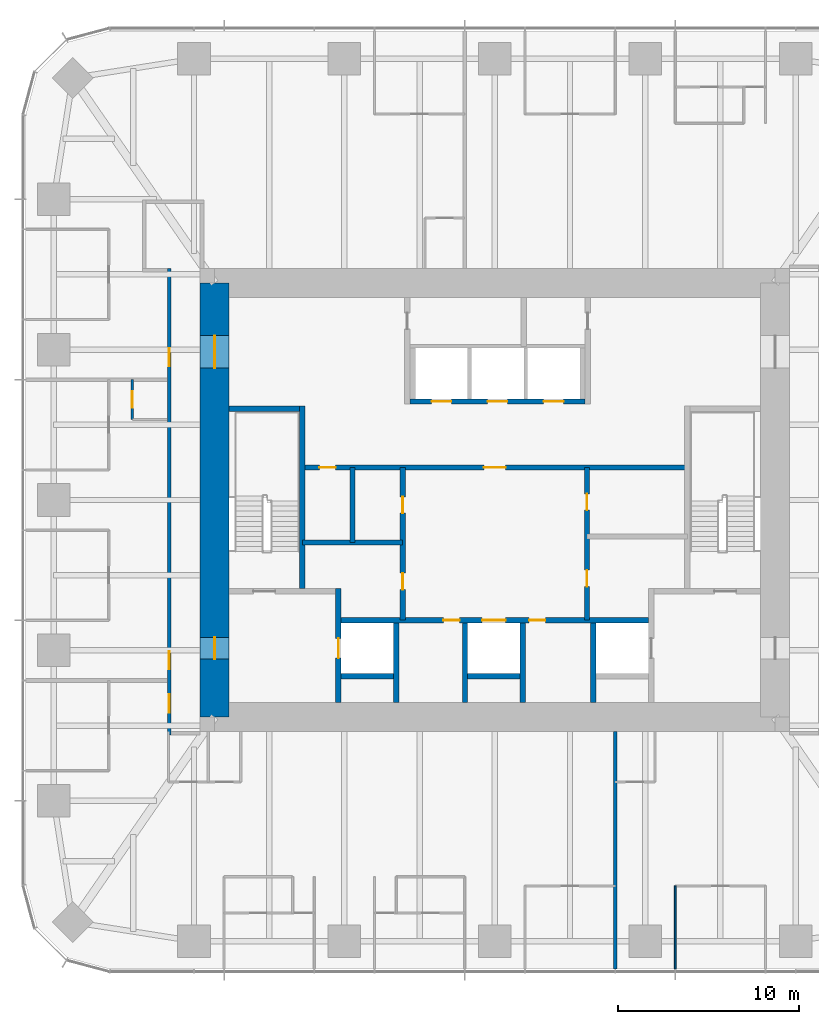
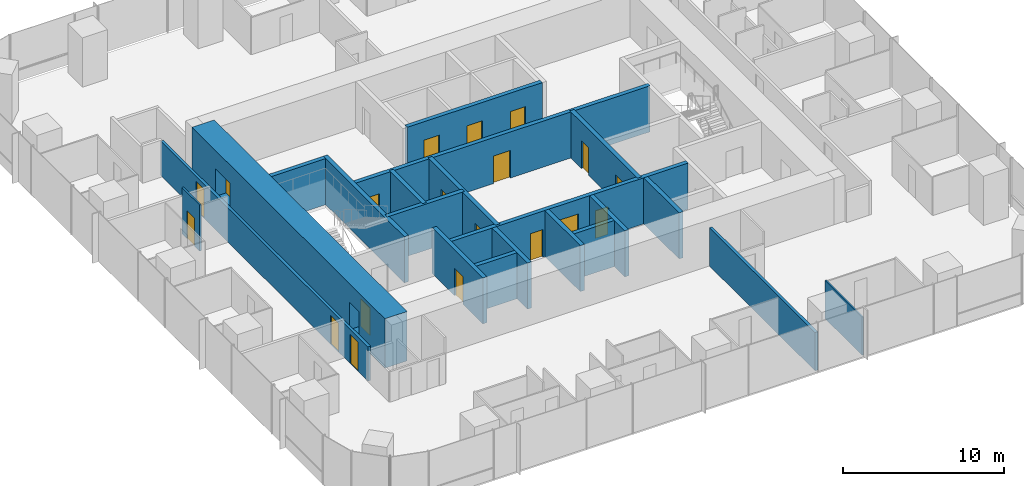
# One storey, part 9 of 12: 21 walls, 19 doors, 19 openings.
"""IFC4 building model written with IfcOpenShell, lengths in metres."""

from ifc_helpers import new_model, si_unit, direction, frame, frame_2d, origin, place, context, subcontext, project, spatial, rectangle, extrude, material, layer, layer_set, type_object, element, fill, save


model = new_model("IFC4")

# Units and contexts
model_context = context("Model", 3, precision=1e-05, world=origin(), true_north=direction((0.0, 1.0)))
body_context = subcontext(model_context, "Body", "Model", "MODEL_VIEW")
ifc_project = project(units=[si_unit("LENGTHUNIT", "METRE"), si_unit("AREAUNIT", "SQUARE_METRE"), si_unit("VOLUMEUNIT", "CUBIC_METRE"), si_unit("PLANEANGLEUNIT", "RADIAN"), si_unit("MASSUNIT", "GRAM", prefix="KILO")], contexts=[model_context])

# Site, building, storey
site_placement = place(None, origin())
site = spatial("IfcSite", under=ifc_project, at=site_placement, CompositionType="ELEMENT")
building_placement = place(site_placement, origin())
building = spatial("IfcBuilding", under=site, at=building_placement, Name="Khuree Lantern Residences", CompositionType="ELEMENT")
storey_placement = place(building_placement, frame((0.0, 0.0, 233.25)))
storey = spatial("IfcBuildingStorey", under=building, at=storey_placement, Name="L58", CompositionType="ELEMENT", Elevation=233.25)

# Wall, opening, door
ifc_material_1 = material(Name="Moisture-resistant gypsum board on steel studs", Category="steel")
ifc_layer_1 = layer(ifc_material_1, 0.125)
ifc_layer_set_1 = layer_set([ifc_layer_1], Name="BATHROOM WALL BTW125")
wall_type_1 = type_object("IfcWallType", Name="BATHROOM WALL BTW125", PredefinedType="PARTITIONING", material=ifc_layer_set_1)
wall_1_placement = place(storey_placement, frame((-20.050048828125, 6.656005859375, 0.0), z_axis=(0.0, 0.0, 1.0), x_axis=(0.0, -1.0, 0.0)))
wall_1 = element("IfcWall", 1, at=wall_1_placement, inside=storey, type_object=wall_type_1, Name="L58 BATHROOM WALL 04", PredefinedType="PARTITIONING", context=body_context, shape_type="SweptSolid", body=[
    extrude(rectangle(XDim=2.199951171875, YDim=0.125, at=frame_2d((1.10009765625, 0.0))), origin(), (0.0, 0.0, 1.0), 3.5),
])
opening_1_placement = place(wall_1_placement, frame((0.64990234375, 0.0, 0.0)))
opening_1 = element("IfcOpeningElement", 2, at=opening_1_placement, cuts=wall_1, Name="Opening 58-041", PredefinedType="OPENING", context=body_context, shape_type="SweptSolid", body=[
    extrude(rectangle(XDim=0.89990234375, YDim=2.10009765625, at=frame_2d((0.449951171875, 1.050048828125))), frame((0.0, 0.072509765625, 0.0), z_axis=(0.0, -1.0, 0.0), x_axis=(1.0, 0.0, 0.0)), (0.0, 0.0, 1.0), 0.14501953125),
])
ifc_material_2 = material(Name="Timber door leaf in hardwood frame", Category="wood")
door_type_1 = type_object("IfcDoorType", Name="BATHROOM DOOR 900X2100", OperationType="SINGLE_SWING_LEFT", PredefinedType="DOOR", material=ifc_material_2)
door_1_placement = place(opening_1_placement, origin())
door_1 = element("IfcDoor", 3, at=door_1_placement, inside=storey, type_object=door_type_1, Name="Bathroom door 58-041", OperationType="SINGLE_SWING_LEFT", OverallHeight=2.10009765625, OverallWidth=0.89990234375, PredefinedType="DOOR", context=body_context, shape_type="SweptSolid", body=[
    extrude(rectangle(XDim=0.89990234375, YDim=2.10009765625, at=frame_2d((0.449951171875, 1.050048828125))), frame((0.0, 0.02490234375, 0.0), z_axis=(0.0, -1.0, 0.0), x_axis=(1.0, 0.0, 0.0)), (0.0, 0.0, 1.0), 0.050048828125),
])
fill(opening_1, door_1)

ifc_material_3 = material(Name="Dense concrete blockwork", Category="masonry")
ifc_layer_2 = layer(ifc_material_3, 0.300048828125)
ifc_layer_set_2 = layer_set([ifc_layer_2], Name="CORE PARTITION WALL CPW300 EI 120")
wall_type_2 = type_object("IfcWallType", Name="CORE PARTITION WALL CPW300 EI 120", PredefinedType="PARTITIONING", material=ifc_layer_set_2)
wall_2_placement = place(storey_placement, frame((-8.64990234375, -11.199951171875, 0.0), z_axis=(0.0, 0.0, 1.0), x_axis=(0.0, 1.0, 0.0)))
wall_2 = element("IfcWall", 4, at=wall_2_placement, inside=storey, type_object=wall_type_2, Name="L58 CORE WALL FL1W", PredefinedType="PARTITIONING", context=body_context, shape_type="SweptSolid", body=[
    extrude(rectangle(XDim=6.300048828125, YDim=0.300048828125, at=frame_2d((3.14990234375, 0.0))), origin(), (0.0, 0.0, 1.0), 3.5),
])
opening_2_placement = place(wall_2_placement, frame((2.449951171875, 0.0, 0.0)))
opening_2 = element("IfcOpeningElement", 5, at=opening_2_placement, cuts=wall_2, Name="Opening 58-007", PredefinedType="OPENING", context=body_context, shape_type="SweptSolid", body=[
    extrude(rectangle(XDim=1.10009765625, YDim=2.10009765625, at=frame_2d((0.550048828125, 1.050048828125))), frame((0.0, 0.16015625, 0.0), z_axis=(0.0, -1.0, 0.0), x_axis=(1.0, 0.0, 0.0)), (0.0, 0.0, 1.0), 0.320068359375),
])
ifc_material_4 = material(Name="Stainless steel lift landing door", Category="steel")
door_type_2 = type_object("IfcDoorType", Name="LIFT LANDING DOOR 1100X2100 E 120", OperationType="DOUBLE_DOOR_SLIDING", PredefinedType="DOOR", material=ifc_material_4)
door_2_placement = place(opening_2_placement, origin())
door_2 = element("IfcDoor", 6, at=door_2_placement, inside=storey, type_object=door_type_2, Name="Landing door FL1 58-007", OperationType="DOUBLE_DOOR_SLIDING", OverallHeight=2.10009765625, OverallWidth=1.10009765625, PredefinedType="DOOR", context=body_context, shape_type="SweptSolid", body=[
    extrude(rectangle(XDim=1.10009765625, YDim=2.10009765625, at=frame_2d((0.550048828125, 1.050048828125))), frame((0.0, 0.02490234375, 0.0), z_axis=(0.0, -1.0, 0.0), x_axis=(1.0, 0.0, 0.0)), (0.0, 0.0, 1.0), 0.050048828125),
])
fill(opening_2, door_2)

# Wall, openings, doors
wall_3_placement = place(storey_placement, frame((-8.5, -6.64990234375, 0.0), z_axis=(0.0, 0.0, 1.0), x_axis=(1.0, 0.0, 0.0)))
wall_3 = element("IfcWall", 7, at=wall_3_placement, inside=storey, type_object=wall_type_2, Name="L58 CORE WALL FLROW", PredefinedType="PARTITIONING", context=body_context, shape_type="SweptSolid", body=[
    extrude(rectangle(XDim=17.0, YDim=0.300048828125, at=frame_2d((8.5, 0.0))), origin(), (0.0, 0.0, 1.0), 3.5),
])
opening_3_placement = place(wall_3_placement, frame((7.800048828125, 0.0, 0.0)))
opening_3 = element("IfcOpeningElement", 8, at=opening_3_placement, cuts=wall_3, Name="Opening 58-012", PredefinedType="OPENING", context=body_context, shape_type="SweptSolid", body=[
    extrude(rectangle(XDim=1.300048828125, YDim=2.39990234375, at=frame_2d((0.64990234375, 1.199951171875))), frame((0.0, 0.16015625, 0.0), z_axis=(0.0, -1.0, 0.0), x_axis=(1.0, 0.0, 0.0)), (0.0, 0.0, 1.0), 0.320068359375),
])
opening_4_placement = place(wall_3_placement, frame((5.64990234375, 0.0, 0.0)))
opening_4 = element("IfcOpeningElement", 9, at=opening_4_placement, cuts=wall_3, Name="Opening 58-014", PredefinedType="OPENING", context=body_context, shape_type="SweptSolid", body=[
    extrude(rectangle(XDim=0.89990234375, YDim=2.10009765625, at=frame_2d((0.449951171875, 1.050048828125))), frame((0.0, 0.16015625, 0.0), z_axis=(0.0, -1.0, 0.0), x_axis=(1.0, 0.0, 0.0)), (0.0, 0.0, 1.0), 0.320068359375),
])
opening_5_placement = place(wall_3_placement, frame((10.39990234375, 0.0, 0.0)))
opening_5 = element("IfcOpeningElement", 10, at=opening_5_placement, cuts=wall_3, Name="Opening 58-015", PredefinedType="OPENING", context=body_context, shape_type="SweptSolid", body=[
    extrude(rectangle(XDim=0.89990234375, YDim=2.10009765625, at=frame_2d((0.449951171875, 1.050048828125))), frame((0.0, 0.16015625, 0.0), z_axis=(0.0, -1.0, 0.0), x_axis=(1.0, 0.0, 0.0)), (0.0, 0.0, 1.0), 0.320068359375),
])
ifc_material_5 = material(Name="Steel door leaf in steel frame", Category="steel")
door_type_3 = type_object("IfcDoorType", Name="DOOR 900X2100 EI 60", OperationType="SINGLE_SWING_LEFT", PredefinedType="DOOR", material=ifc_material_5)
door_3_placement = place(opening_4_placement, origin())
door_3 = element("IfcDoor", 11, at=door_3_placement, inside=storey, type_object=door_type_3, Name="Refuse chute room door 58-014", OperationType="SINGLE_SWING_LEFT", OverallHeight=2.10009765625, OverallWidth=0.89990234375, PredefinedType="DOOR", context=body_context, shape_type="SweptSolid", body=[
    extrude(rectangle(XDim=0.89990234375, YDim=2.10009765625, at=frame_2d((0.449951171875, 1.050048828125))), frame((0.0, 0.02490234375, 0.0), z_axis=(0.0, -1.0, 0.0), x_axis=(1.0, 0.0, 0.0)), (0.0, 0.0, 1.0), 0.050048828125),
])
fill(opening_4, door_3)
door_type_4 = type_object("IfcDoorType", Name="DOOR 900X2100 EI 60 RIGHT HAND", OperationType="SINGLE_SWING_RIGHT", PredefinedType="DOOR", material=ifc_material_5)
door_4_placement = place(opening_5_placement, origin())
door_4 = element("IfcDoor", 12, at=door_4_placement, inside=storey, type_object=door_type_4, Name="Electrical and plumbing riser door 58-015", OperationType="SINGLE_SWING_RIGHT", OverallHeight=2.10009765625, OverallWidth=0.89990234375, PredefinedType="DOOR", context=body_context, shape_type="SweptSolid", body=[
    extrude(rectangle(XDim=0.89990234375, YDim=2.10009765625, at=frame_2d((0.449951171875, 1.050048828125))), frame((0.0, 0.02490234375, 0.0), z_axis=(0.0, -1.0, 0.0), x_axis=(1.0, 0.0, 0.0)), (0.0, 0.0, 1.0), 0.050048828125),
])
fill(opening_5, door_4)
door_type_5 = type_object("IfcDoorType", Name="LIFT LANDING DOOR 1300X2400 E 60", OperationType="DOUBLE_DOOR_SLIDING", PredefinedType="DOOR", material=ifc_material_4)
door_5_placement = place(opening_3_placement, origin())
door_5 = element("IfcDoor", 13, at=door_5_placement, inside=storey, type_object=door_type_5, Name="Landing door SL1 58-012", OperationType="DOUBLE_DOOR_SLIDING", OverallHeight=2.39990234375, OverallWidth=1.300048828125, PredefinedType="DOOR", context=body_context, shape_type="SweptSolid", body=[
    extrude(rectangle(XDim=1.300048828125, YDim=2.39990234375, at=frame_2d((0.64990234375, 1.199951171875))), frame((0.0, 0.02490234375, 0.0), z_axis=(0.0, -1.0, 0.0), x_axis=(1.0, 0.0, 0.0)), (0.0, 0.0, 1.0), 0.050048828125),
])
fill(opening_3, door_5)

# Walls
for number, where, z_axis, x_axis, name in (
    (14, (-5.449951171875, -11.199951171875, 0.0), (0.0, 0.0, 1.0), (0.0, 1.0, 0.0), "L58 CORE WALL FL1E"),
    (15, (-1.64990234375, -11.199951171875, 0.0), (0.0, 0.0, 1.0), (0.0, 1.0, 0.0), "L58 CORE WALL SL1W"),
    (16, (1.550048828125, -11.199951171875, 0.0), (0.0, 0.0, 1.0), (0.0, 1.0, 0.0), "L58 CORE WALL SL1E"),
    (17, (5.449951171875, -11.199951171875, 0.0), (0.0, 0.0, 1.0), (0.0, 1.0, 0.0), "L58 CORE WALL FL2W"),
):
    element("IfcWall", number, at=place(storey_placement, frame(where, z_axis=z_axis, x_axis=x_axis)), inside=storey, type_object=wall_type_2, Name=name, PredefinedType="PARTITIONING", context=body_context, shape_type="SweptSolid", body=[
        extrude(rectangle(XDim=4.39990234375, YDim=0.300048828125, at=frame_2d((2.199951171875, 0.0))), origin(), (0.0, 0.0, 1.0), 3.5),
    ])
for number, where, z_axis, x_axis, name in (
    (18, (-8.5, -9.75, 0.0), (0.0, 0.0, 1.0), (1.0, 0.0, 0.0), "L58 CORE WALL FL1S"),
    (19, (-1.5, -9.75, 0.0), (0.0, 0.0, 1.0), (1.0, 0.0, 0.0), "L58 CORE WALL SL1S"),
):
    element("IfcWall", number, at=place(storey_placement, frame(where, z_axis=z_axis, x_axis=x_axis)), inside=storey, type_object=wall_type_2, Name=name, PredefinedType="PARTITIONING", context=body_context, shape_type="SweptSolid", body=[
        extrude(rectangle(XDim=2.89990234375, YDim=0.300048828125, at=frame_2d((1.449951171875, 0.0))), origin(), (0.0, 0.0, 1.0), 3.5),
    ])

# Wall, openings, doors
wall_4_placement = place(storey_placement, frame((-4.699951171875, 5.449951171875, 0.0), z_axis=(0.0, 0.0, 1.0), x_axis=(1.0, 0.0, 0.0)))
wall_4 = element("IfcWall", 20, at=wall_4_placement, inside=storey, type_object=wall_type_2, Name="L58 CORE WALL PHS", PredefinedType="PARTITIONING", context=body_context, shape_type="SweptSolid", body=[
    extrude(rectangle(XDim=9.699951171875, YDim=0.300048828125, at=frame_2d((4.85009765625, 0.0))), origin(), (0.0, 0.0, 1.0), 3.5),
])
opening_6_placement = place(wall_4_placement, frame((1.199951171875, 0.0, 0.0)))
opening_6 = element("IfcOpeningElement", 21, at=opening_6_placement, cuts=wall_4, Name="Opening 58-009", PredefinedType="OPENING", context=body_context, shape_type="SweptSolid", body=[
    extrude(rectangle(XDim=1.10009765625, YDim=2.10009765625, at=frame_2d((0.550048828125, 1.050048828125))), frame((0.0, 0.16015625, 0.0), z_axis=(0.0, -1.0, 0.0), x_axis=(1.0, 0.0, 0.0)), (0.0, 0.0, 1.0), 0.320068359375),
])
opening_7_placement = place(wall_4_placement, frame((4.300048828125, 0.0, 0.0)))
opening_7 = element("IfcOpeningElement", 22, at=opening_7_placement, cuts=wall_4, Name="Opening 58-010", PredefinedType="OPENING", context=body_context, shape_type="SweptSolid", body=[
    extrude(rectangle(XDim=1.10009765625, YDim=2.10009765625, at=frame_2d((0.550048828125, 1.050048828125))), frame((0.0, 0.16015625, 0.0), z_axis=(0.0, -1.0, 0.0), x_axis=(1.0, 0.0, 0.0)), (0.0, 0.0, 1.0), 0.320068359375),
])
opening_8_placement = place(wall_4_placement, frame((7.39990234375, 0.0, 0.0)))
opening_8 = element("IfcOpeningElement", 23, at=opening_8_placement, cuts=wall_4, Name="Opening 58-011", PredefinedType="OPENING", context=body_context, shape_type="SweptSolid", body=[
    extrude(rectangle(XDim=1.10009765625, YDim=2.10009765625, at=frame_2d((0.550048828125, 1.050048828125))), frame((0.0, 0.16015625, 0.0), z_axis=(0.0, -1.0, 0.0), x_axis=(1.0, 0.0, 0.0)), (0.0, 0.0, 1.0), 0.320068359375),
])
door_type_6 = type_object("IfcDoorType", Name="LIFT LANDING DOOR 1100X2100 E 60", OperationType="DOUBLE_DOOR_SLIDING", PredefinedType="DOOR", material=ifc_material_4)
door_6_placement = place(opening_6_placement, origin())
door_6 = element("IfcDoor", 24, at=door_6_placement, inside=storey, type_object=door_type_6, Name="Landing door PH1 58-009", OperationType="DOUBLE_DOOR_SLIDING", OverallHeight=2.10009765625, OverallWidth=1.10009765625, PredefinedType="DOOR", context=body_context, shape_type="SweptSolid", body=[
    extrude(rectangle(XDim=1.10009765625, YDim=2.10009765625, at=frame_2d((0.550048828125, 1.050048828125))), frame((0.0, 0.02490234375, 0.0), z_axis=(0.0, -1.0, 0.0), x_axis=(1.0, 0.0, 0.0)), (0.0, 0.0, 1.0), 0.050048828125),
])
fill(opening_6, door_6)
door_7_placement = place(opening_7_placement, origin())
door_7 = element("IfcDoor", 25, at=door_7_placement, inside=storey, type_object=door_type_6, Name="Landing door PH2 58-010", OperationType="DOUBLE_DOOR_SLIDING", OverallHeight=2.10009765625, OverallWidth=1.10009765625, PredefinedType="DOOR", context=body_context, shape_type="SweptSolid", body=[
    extrude(rectangle(XDim=1.10009765625, YDim=2.10009765625, at=frame_2d((0.550048828125, 1.050048828125))), frame((0.0, 0.02490234375, 0.0), z_axis=(0.0, -1.0, 0.0), x_axis=(1.0, 0.0, 0.0)), (0.0, 0.0, 1.0), 0.050048828125),
])
fill(opening_7, door_7)
door_8_placement = place(opening_8_placement, origin())
door_8 = element("IfcDoor", 26, at=door_8_placement, inside=storey, type_object=door_type_6, Name="Landing door PH3 58-011", OperationType="DOUBLE_DOOR_SLIDING", OverallHeight=2.10009765625, OverallWidth=1.10009765625, PredefinedType="DOOR", context=body_context, shape_type="SweptSolid", body=[
    extrude(rectangle(XDim=1.10009765625, YDim=2.10009765625, at=frame_2d((0.550048828125, 1.050048828125))), frame((0.0, 0.02490234375, 0.0), z_axis=(0.0, -1.0, 0.0), x_axis=(1.0, 0.0, 0.0)), (0.0, 0.0, 1.0), 0.050048828125),
])
fill(opening_8, door_8)

wall_5_placement = place(storey_placement, frame((-10.64990234375, 1.800048828125, 0.0), z_axis=(0.0, 0.0, 1.0), x_axis=(1.0, 0.0, 0.0)))
wall_5 = element("IfcWall", 27, at=wall_5_placement, inside=storey, type_object=wall_type_2, Name="L58 CORE WALL LLS", PredefinedType="PARTITIONING", context=body_context, shape_type="SweptSolid", body=[
    extrude(rectangle(XDim=21.2998046875, YDim=0.300048828125, at=frame_2d((10.64990234375, 0.0))), origin(), (0.0, 0.0, 1.0), 3.5),
])
opening_9_placement = place(wall_5_placement, frame((10.050048828125, 0.0, 0.0)))
opening_9 = element("IfcOpeningElement", 28, at=opening_9_placement, cuts=wall_5, Name="Opening 58-013", PredefinedType="OPENING", context=body_context, shape_type="SweptSolid", body=[
    extrude(rectangle(XDim=1.199951171875, YDim=2.10009765625, at=frame_2d((0.60009765625, 1.050048828125))), frame((0.0, 0.16015625, 0.0), z_axis=(0.0, -1.0, 0.0), x_axis=(1.0, 0.0, 0.0)), (0.0, 0.0, 1.0), 0.320068359375),
])
opening_10_placement = place(wall_5_placement, frame((0.93798828125, 0.0, 0.0)))
opening_10 = element("IfcOpeningElement", 29, at=opening_10_placement, cuts=wall_5, Name="Opening 58-018", PredefinedType="OPENING", context=body_context, shape_type="SweptSolid", body=[
    extrude(rectangle(XDim=0.89990234375, YDim=2.10009765625, at=frame_2d((0.449951171875, 1.050048828125))), frame((0.0, 0.16015625, 0.0), z_axis=(0.0, -1.0, 0.0), x_axis=(1.0, 0.0, 0.0)), (0.0, 0.0, 1.0), 0.320068359375),
])
door_type_7 = type_object("IfcDoorType", Name="DOOR 1200X2100 EI 60", OperationType="SINGLE_SWING_LEFT", PredefinedType="DOOR", material=ifc_material_5)
door_9_placement = place(opening_9_placement, origin())
door_9 = element("IfcDoor", 30, at=door_9_placement, inside=storey, type_object=door_type_7, Name="Service lift lobby door 58-013", OperationType="SINGLE_SWING_LEFT", OverallHeight=2.10009765625, OverallWidth=1.199951171875, PredefinedType="DOOR", context=body_context, shape_type="SweptSolid", body=[
    extrude(rectangle(XDim=1.199951171875, YDim=2.10009765625, at=frame_2d((0.60009765625, 1.050048828125))), frame((0.0, 0.02490234375, 0.0), z_axis=(0.0, -1.0, 0.0), x_axis=(1.0, 0.0, 0.0)), (0.0, 0.0, 1.0), 0.050048828125),
])
fill(opening_9, door_9)
door_type_8 = type_object("IfcDoorType", Name="DOOR 900X2100", OperationType="SINGLE_SWING_LEFT", PredefinedType="DOOR", material=ifc_material_2)
door_10_placement = place(opening_10_placement, origin())
door_10 = element("IfcDoor", 31, at=door_10_placement, inside=storey, type_object=door_type_8, Name="Building management room door 58-018", OperationType="SINGLE_SWING_LEFT", OverallHeight=2.10009765625, OverallWidth=0.89990234375, PredefinedType="DOOR", context=body_context, shape_type="SweptSolid", body=[
    extrude(rectangle(XDim=0.89990234375, YDim=2.10009765625, at=frame_2d((0.449951171875, 1.050048828125))), frame((0.0, 0.02490234375, 0.0), z_axis=(0.0, -1.0, 0.0), x_axis=(1.0, 0.0, 0.0)), (0.0, 0.0, 1.0), 0.050048828125),
])
fill(opening_10, door_10)

wall_6_placement = place(storey_placement, frame((-5.10009765625, -6.64990234375, 0.0), z_axis=(0.0, 0.0, 1.0), x_axis=(0.0, 1.0, 0.0)))
wall_6 = element("IfcWall", 32, at=wall_6_placement, inside=storey, type_object=wall_type_2, Name="L58 CORE WALL SVW", PredefinedType="PARTITIONING", context=body_context, shape_type="SweptSolid", body=[
    extrude(rectangle(XDim=8.449951171875, YDim=0.300048828125, at=frame_2d((4.22509765625, 0.0))), origin(), (0.0, 0.0, 1.0), 3.5),
])
opening_11_placement = place(wall_6_placement, frame((1.699951171875, 0.0, 0.0)))
opening_11 = element("IfcOpeningElement", 33, at=opening_11_placement, cuts=wall_6, Name="Opening 58-016", PredefinedType="OPENING", context=body_context, shape_type="SweptSolid", body=[
    extrude(rectangle(XDim=0.89990234375, YDim=2.10009765625, at=frame_2d((0.449951171875, 1.050048828125))), frame((0.0, 0.16015625, 0.0), z_axis=(0.0, -1.0, 0.0), x_axis=(1.0, 0.0, 0.0)), (0.0, 0.0, 1.0), 0.320068359375),
])
opening_12_placement = place(wall_6_placement, frame((5.925048828125, 0.0, 0.0)))
opening_12 = element("IfcOpeningElement", 34, at=opening_12_placement, cuts=wall_6, Name="Opening 58-017", PredefinedType="OPENING", context=body_context, shape_type="SweptSolid", body=[
    extrude(rectangle(XDim=0.89990234375, YDim=2.10009765625, at=frame_2d((0.449951171875, 1.050048828125))), frame((0.0, 0.16015625, 0.0), z_axis=(0.0, -1.0, 0.0), x_axis=(1.0, 0.0, 0.0)), (0.0, 0.0, 1.0), 0.320068359375),
])
door_11_placement = place(opening_11_placement, origin())
door_11 = element("IfcDoor", 35, at=door_11_placement, inside=storey, type_object=door_type_8, Name="Parcel room door 58-016", OperationType="SINGLE_SWING_LEFT", OverallHeight=2.10009765625, OverallWidth=0.89990234375, PredefinedType="DOOR", context=body_context, shape_type="SweptSolid", body=[
    extrude(rectangle(XDim=0.89990234375, YDim=2.10009765625, at=frame_2d((0.449951171875, 1.050048828125))), frame((0.0, 0.02490234375, 0.0), z_axis=(0.0, -1.0, 0.0), x_axis=(1.0, 0.0, 0.0)), (0.0, 0.0, 1.0), 0.050048828125),
])
fill(opening_11, door_11)
door_12_placement = place(opening_12_placement, origin())
door_12 = element("IfcDoor", 36, at=door_12_placement, inside=storey, type_object=door_type_8, Name="Housekeeping store door 58-017", OperationType="SINGLE_SWING_LEFT", OverallHeight=2.10009765625, OverallWidth=0.89990234375, PredefinedType="DOOR", context=body_context, shape_type="SweptSolid", body=[
    extrude(rectangle(XDim=0.89990234375, YDim=2.10009765625, at=frame_2d((0.449951171875, 1.050048828125))), frame((0.0, 0.02490234375, 0.0), z_axis=(0.0, -1.0, 0.0), x_axis=(1.0, 0.0, 0.0)), (0.0, 0.0, 1.0), 0.050048828125),
])
fill(opening_12, door_12)

wall_7_placement = place(storey_placement, frame((5.10009765625, -6.64990234375, 0.0), z_axis=(0.0, 0.0, 1.0), x_axis=(0.0, 1.0, 0.0)))
wall_7 = element("IfcWall", 37, at=wall_7_placement, inside=storey, type_object=wall_type_2, Name="L58 CORE WALL SVE", PredefinedType="PARTITIONING", context=body_context, shape_type="SweptSolid", body=[
    extrude(rectangle(XDim=8.449951171875, YDim=0.300048828125, at=frame_2d((4.22509765625, 0.0))), origin(), (0.0, 0.0, 1.0), 3.5),
])
opening_13_placement = place(wall_7_placement, frame((1.865966796875, 0.0, 0.0)))
opening_13 = element("IfcOpeningElement", 38, at=opening_13_placement, cuts=wall_7, Name="Opening 58-019", PredefinedType="OPENING", context=body_context, shape_type="SweptSolid", body=[
    extrude(rectangle(XDim=0.89990234375, YDim=2.10009765625, at=frame_2d((0.449951171875, 1.050048828125))), frame((0.0, 0.16015625, 0.0), z_axis=(0.0, -1.0, 0.0), x_axis=(1.0, 0.0, 0.0)), (0.0, 0.0, 1.0), 0.320068359375),
])
opening_14_placement = place(wall_7_placement, frame((6.091064453125, 0.0, 0.0)))
opening_14 = element("IfcOpeningElement", 39, at=opening_14_placement, cuts=wall_7, Name="Opening 58-020", PredefinedType="OPENING", context=body_context, shape_type="SweptSolid", body=[
    extrude(rectangle(XDim=0.89990234375, YDim=2.10009765625, at=frame_2d((0.449951171875, 1.050048828125))), frame((0.0, 0.16015625, 0.0), z_axis=(0.0, -1.0, 0.0), x_axis=(1.0, 0.0, 0.0)), (0.0, 0.0, 1.0), 0.320068359375),
])
door_13_placement = place(opening_13_placement, origin())
door_13 = element("IfcDoor", 40, at=door_13_placement, inside=storey, type_object=door_type_8, Name="Bulky waste store door 58-019", OperationType="SINGLE_SWING_LEFT", OverallHeight=2.10009765625, OverallWidth=0.89990234375, PredefinedType="DOOR", context=body_context, shape_type="SweptSolid", body=[
    extrude(rectangle(XDim=0.89990234375, YDim=2.10009765625, at=frame_2d((0.449951171875, 1.050048828125))), frame((0.0, 0.02490234375, 0.0), z_axis=(0.0, -1.0, 0.0), x_axis=(1.0, 0.0, 0.0)), (0.0, 0.0, 1.0), 0.050048828125),
])
fill(opening_13, door_13)
door_type_9 = type_object("IfcDoorType", Name="DOOR 900X2100 RIGHT HAND", OperationType="SINGLE_SWING_RIGHT", PredefinedType="DOOR", material=ifc_material_2)
door_14_placement = place(opening_14_placement, origin())
door_14 = element("IfcDoor", 41, at=door_14_placement, inside=storey, type_object=door_type_9, Name="Parcel room door 58-020", OperationType="SINGLE_SWING_RIGHT", OverallHeight=2.10009765625, OverallWidth=0.89990234375, PredefinedType="DOOR", context=body_context, shape_type="SweptSolid", body=[
    extrude(rectangle(XDim=0.89990234375, YDim=2.10009765625, at=frame_2d((0.449951171875, 1.050048828125))), frame((0.0, 0.02490234375, 0.0), z_axis=(0.0, -1.0, 0.0), x_axis=(1.0, 0.0, 0.0)), (0.0, 0.0, 1.0), 0.050048828125),
])
fill(opening_14, door_14)

# Walls
wall_8_placement = place(storey_placement, frame((-10.64990234375, -2.35009765625, 0.0), z_axis=(0.0, 0.0, 1.0), x_axis=(1.0, 0.0, 0.0)))
element("IfcWall", 42, at=wall_8_placement, inside=storey, type_object=wall_type_2, Name="L58 CORE WALL WX", PredefinedType="PARTITIONING", context=body_context, shape_type="SweptSolid", body=[
    extrude(rectangle(XDim=5.5498046875, YDim=0.300048828125, at=frame_2d((2.77490234375, 0.0))), origin(), (0.0, 0.0, 1.0), 3.5),
])
wall_9_placement = place(storey_placement, frame((-7.875, -2.35009765625, 0.0), z_axis=(0.0, 0.0, 1.0), x_axis=(0.0, 1.0, 0.0)))
element("IfcWall", 43, at=wall_9_placement, inside=storey, type_object=wall_type_2, Name="L58 CORE WALL WV", PredefinedType="PARTITIONING", context=body_context, shape_type="SweptSolid", body=[
    extrude(rectangle(XDim=4.150146484375, YDim=0.300048828125, at=frame_2d((2.0751953125, 0.0))), origin(), (0.0, 0.0, 1.0), 3.5),
])

# Wall, openings, doors
ifc_material_6 = material(Name="Gypsum board on steel studs", Category="steel")
ifc_layer_3 = layer(ifc_material_6, 0.199951171875)
ifc_layer_set_3 = layer_set([ifc_layer_3], Name="CORRIDOR WALL CRW200 EI 60")
wall_type_3 = type_object("IfcWallType", Name="CORRIDOR WALL CRW200 EI 60", PredefinedType="PARTITIONING", material=ifc_layer_set_3)
wall_10_placement = place(storey_placement, frame((-18.0, 12.800048828125, 0.0), z_axis=(0.0, 0.0, 1.0), x_axis=(0.0, -1.0, 0.0)))
wall_10 = element("IfcWall", 44, at=wall_10_placement, inside=storey, type_object=wall_type_3, Name="L58 CORRIDOR WALL WEST 1", PredefinedType="PARTITIONING", context=body_context, shape_type="SweptSolid", body=[
    extrude(rectangle(XDim=25.800048828125, YDim=0.199951171875, at=frame_2d((12.89990234375, 0.0))), origin(), (0.0, 0.0, 1.0), 2.60009765625),
])
opening_15_placement = place(wall_10_placement, frame((4.39990234375, 0.0, 0.0)))
opening_15 = element("IfcOpeningElement", 45, at=opening_15_placement, cuts=wall_10, Name="Opening 58-038", PredefinedType="OPENING", context=body_context, shape_type="SweptSolid", body=[
    extrude(rectangle(XDim=1.0, YDim=2.199951171875, at=frame_2d((0.5, 1.10009765625))), frame((0.0, 0.10986328125, 0.0), z_axis=(0.0, -1.0, 0.0), x_axis=(1.0, 0.0, 0.0)), (0.0, 0.0, 1.0), 0.219970703125),
])
opening_16_placement = place(wall_10_placement, frame((21.1640625, 0.0, 0.0)))
opening_16 = element("IfcOpeningElement", 46, at=opening_16_placement, cuts=wall_10, Name="Opening 58-042", PredefinedType="OPENING", context=body_context, shape_type="SweptSolid", body=[
    extrude(rectangle(XDim=1.0, YDim=2.199951171875, at=frame_2d((0.5, 1.10009765625))), frame((0.0, 0.10986328125, 0.0), z_axis=(0.0, -1.0, 0.0), x_axis=(1.0, 0.0, 0.0)), (0.0, 0.0, 1.0), 0.219970703125),
])
opening_17_placement = place(wall_10_placement, frame((23.553955078125, 0.0, 0.0)))
opening_17 = element("IfcOpeningElement", 47, at=opening_17_placement, cuts=wall_10, Name="Opening 58-051", PredefinedType="OPENING", context=body_context, shape_type="SweptSolid", body=[
    extrude(rectangle(XDim=1.0, YDim=2.199951171875, at=frame_2d((0.5, 1.10009765625))), frame((0.0, 0.10986328125, 0.0), z_axis=(0.0, -1.0, 0.0), x_axis=(1.0, 0.0, 0.0)), (0.0, 0.0, 1.0), 0.219970703125),
])
door_type_10 = type_object("IfcDoorType", Name="APARTMENT ENTRANCE DOOR 1000X2200 EI 30S", OperationType="SINGLE_SWING_LEFT", PredefinedType="DOOR", material=ifc_material_2)
door_15_placement = place(opening_15_placement, origin())
door_15 = element("IfcDoor", 48, at=door_15_placement, inside=storey, type_object=door_type_10, Name="Apartment 03 entrance door 58-038", OperationType="SINGLE_SWING_LEFT", OverallHeight=2.199951171875, OverallWidth=1.0, PredefinedType="DOOR", context=body_context, shape_type="SweptSolid", body=[
    extrude(rectangle(XDim=1.0, YDim=2.199951171875, at=frame_2d((0.5, 1.10009765625))), frame((0.0, 0.02490234375, 0.0), z_axis=(0.0, -1.0, 0.0), x_axis=(1.0, 0.0, 0.0)), (0.0, 0.0, 1.0), 0.050048828125),
])
fill(opening_15, door_15)
door_type_11 = type_object("IfcDoorType", Name="APARTMENT ENTRANCE DOOR 1000X2200 EI 30S RIGHT HAND", OperationType="SINGLE_SWING_RIGHT", PredefinedType="DOOR", material=ifc_material_2)
door_16_placement = place(opening_16_placement, origin())
door_16 = element("IfcDoor", 49, at=door_16_placement, inside=storey, type_object=door_type_11, Name="Apartment 04 entrance door 58-042", OperationType="SINGLE_SWING_RIGHT", OverallHeight=2.199951171875, OverallWidth=1.0, PredefinedType="DOOR", context=body_context, shape_type="SweptSolid", body=[
    extrude(rectangle(XDim=1.0, YDim=2.199951171875, at=frame_2d((0.5, 1.10009765625))), frame((0.0, 0.02490234375, 0.0), z_axis=(0.0, -1.0, 0.0), x_axis=(1.0, 0.0, 0.0)), (0.0, 0.0, 1.0), 0.050048828125),
])
fill(opening_16, door_16)
door_17_placement = place(opening_17_placement, origin())
door_17 = element("IfcDoor", 50, at=door_17_placement, inside=storey, type_object=door_type_11, Name="Apartment 05 entrance door 58-051", OperationType="SINGLE_SWING_RIGHT", OverallHeight=2.199951171875, OverallWidth=1.0, PredefinedType="DOOR", context=body_context, shape_type="SweptSolid", body=[
    extrude(rectangle(XDim=1.0, YDim=2.199951171875, at=frame_2d((0.5, 1.10009765625))), frame((0.0, 0.02490234375, 0.0), z_axis=(0.0, -1.0, 0.0), x_axis=(1.0, 0.0, 0.0)), (0.0, 0.0, 1.0), 0.050048828125),
])
fill(opening_17, door_17)

ifc_material_7 = material(Name="Concrete C50/60", Category="concrete")
ifc_layer_4 = layer(ifc_material_7, 1.60009765625)
ifc_layer_set_4 = layer_set([ifc_layer_4], Name="CW1600-C50 CORE WALL C50 1600")
wall_type_4 = type_object("IfcWallType", Name="CW1600-C50 CORE WALL C50 1600", PredefinedType="SHEAR", material=ifc_layer_set_4)
wall_11_placement = place(storey_placement, frame((-15.5, -12.0, -0.25), z_axis=(0.0, 0.0, 1.0), x_axis=(0.0, 1.0, 0.0)))
wall_11 = element("IfcWall", 51, at=wall_11_placement, inside=storey, type_object=wall_type_4, Name="Core wall W", PredefinedType="SHEAR", context=body_context, shape_type="SweptSolid", body=[
    extrude(rectangle(XDim=24.0, YDim=1.60009765625, at=frame_2d((12.0, 0.0))), origin(), (0.0, 0.0, 1.0), 3.75),
])
opening_18_placement = place(wall_11_placement, frame((3.199951171875, 0.0, 0.25)))
opening_18 = element("IfcOpeningElement", 52, at=opening_18_placement, cuts=wall_11, Name="Opening 58-002", PredefinedType="OPENING", context=body_context, shape_type="SweptSolid", body=[
    extrude(rectangle(XDim=1.199951171875, YDim=2.10009765625, at=frame_2d((0.60009765625, 1.050048828125))), frame((0.0, 0.81005859375, 0.0), z_axis=(0.0, -1.0, 0.0), x_axis=(1.0, 0.0, 0.0)), (0.0, 0.0, 1.0), 1.6201171875),
])
opening_19_placement = place(wall_11_placement, frame((19.300048828125, 0.0, 0.25)))
opening_19 = element("IfcOpeningElement", 53, at=opening_19_placement, cuts=wall_11, Name="Opening 58-003", PredefinedType="OPENING", context=body_context, shape_type="SweptSolid", body=[
    extrude(rectangle(XDim=1.800048828125, YDim=2.10009765625, at=frame_2d((0.89990234375, 1.050048828125))), frame((0.0, 0.81005859375, 0.0), z_axis=(0.0, -1.0, 0.0), x_axis=(1.0, 0.0, 0.0)), (0.0, 0.0, 1.0), 1.6201171875),
])
door_type_12 = type_object("IfcDoorType", Name="LOBBY DOOR 1200X2100 EI 120", OperationType="SINGLE_SWING_LEFT", PredefinedType="DOOR", material=ifc_material_5)
door_18_placement = place(opening_18_placement, origin())
door_18 = element("IfcDoor", 54, at=door_18_placement, inside=storey, type_object=door_type_12, Name="Firefighting lobby door 58-002", OperationType="SINGLE_SWING_LEFT", OverallHeight=2.10009765625, OverallWidth=1.199951171875, PredefinedType="DOOR", context=body_context, shape_type="SweptSolid", body=[
    extrude(rectangle(XDim=1.199951171875, YDim=2.10009765625, at=frame_2d((0.60009765625, 1.050048828125))), frame((0.0, 0.02490234375, 0.0), z_axis=(0.0, -1.0, 0.0), x_axis=(1.0, 0.0, 0.0)), (0.0, 0.0, 1.0), 0.050048828125),
])
fill(opening_18, door_18)
door_type_13 = type_object("IfcDoorType", Name="LOBBY DOUBLE DOOR 1800X2100 EI 60", OperationType="DOUBLE_DOOR_SINGLE_SWING", PredefinedType="DOOR", material=ifc_material_5)
door_19_placement = place(opening_19_placement, origin())
door_19 = element("IfcDoor", 55, at=door_19_placement, inside=storey, type_object=door_type_13, Name="Lift lobby door 58-003", OperationType="DOUBLE_DOOR_SINGLE_SWING", OverallHeight=2.10009765625, OverallWidth=1.800048828125, PredefinedType="DOOR", context=body_context, shape_type="SweptSolid", body=[
    extrude(rectangle(XDim=1.800048828125, YDim=2.10009765625, at=frame_2d((0.89990234375, 1.050048828125))), frame((0.0, 0.02490234375, 0.0), z_axis=(0.0, -1.0, 0.0), x_axis=(1.0, 0.0, 0.0)), (0.0, 0.0, 1.0), 0.050048828125),
])
fill(opening_19, door_19)

# Walls
ifc_layer_5 = layer(ifc_material_6, 0.199951171875)
ifc_layer_set_5 = layer_set([ifc_layer_5], Name="DEMISING WALL DMW200 EI 90")
wall_type_5 = type_object("IfcWallType", Name="DEMISING WALL DMW200 EI 90", PredefinedType="PARTITIONING", material=ifc_layer_set_5)
wall_12_placement = place(storey_placement, frame((6.656005859375, -12.800048828125, 0.0), z_axis=(0.0, 0.0, 1.0), x_axis=(0.0, -1.0, 0.0)))
element("IfcWall", 56, at=wall_12_placement, inside=storey, type_object=wall_type_5, Name="L58 DEMISING WALL 06", PredefinedType="PARTITIONING", context=body_context, shape_type="SweptSolid", body=[
    extrude(rectangle(XDim=13.14990234375, YDim=0.199951171875, at=frame_2d((6.574951171875, 0.0))), origin(), (0.0, 0.0, 1.0), 2.909912109375),
])
ifc_layer_6 = layer(ifc_material_6, 0.10009765625)
ifc_layer_set_6 = layer_set([ifc_layer_6], Name="PARTITION PT100")
wall_type_6 = type_object("IfcWallType", Name="PARTITION PT100", PredefinedType="PARTITIONING", material=ifc_layer_set_6)
wall_13_placement = place(storey_placement, frame((9.98388671875, -21.35009765625, 0.0), z_axis=(0.0, 0.0, 1.0), x_axis=(0.0, -1.0, 0.0)))
element("IfcWall", 57, at=wall_13_placement, inside=storey, type_object=wall_type_6, Name="L58 PARTITION 06", PredefinedType="PARTITIONING", context=body_context, shape_type="SweptSolid", body=[
    extrude(rectangle(XDim=4.599853515625, YDim=0.10009765625, at=frame_2d((2.2998046875, 0.0))), origin(), (0.0, 0.0, 1.0), 2.909912109375),
])
ifc_layer_7 = layer(ifc_material_7, 0.300048828125)
ifc_layer_set_7 = layer_set([ifc_layer_7], Name="STAIR WALL SRW300 C50/60 REI 240")
wall_type_7 = type_object("IfcWallType", Name="STAIR WALL SRW300 C50/60 REI 240", PredefinedType="SOLIDWALL", material=ifc_layer_set_7)
wall_14_placement = place(storey_placement, frame((-10.64990234375, -4.89990234375, 0.0), z_axis=(0.0, 0.0, 1.0), x_axis=(0.0, 1.0, 0.0)))
element("IfcWall", 58, at=wall_14_placement, inside=storey, type_object=wall_type_7, Name="L58 STAIR WALL ST1E", PredefinedType="SOLIDWALL", context=body_context, shape_type="SweptSolid", body=[
    extrude(rectangle(XDim=10.099853515625, YDim=0.300048828125, at=frame_2d((5.0498046875, 0.0))), origin(), (0.0, 0.0, 1.0), 3.5),
])
wall_15_placement = place(storey_placement, frame((-14.699951171875, 5.050048828125, 0.0), z_axis=(0.0, 0.0, 1.0), x_axis=(1.0, 0.0, 0.0)))
element("IfcWall", 59, at=wall_15_placement, inside=storey, type_object=wall_type_7, Name="L58 STAIR WALL ST1N", PredefinedType="SOLIDWALL", context=body_context, shape_type="SweptSolid", body=[
    extrude(rectangle(XDim=3.89990234375, YDim=0.300048828125, at=frame_2d((1.949951171875, 0.0))), origin(), (0.0, 0.0, 1.0), 3.5),
])

save(model, "model.ifc")
